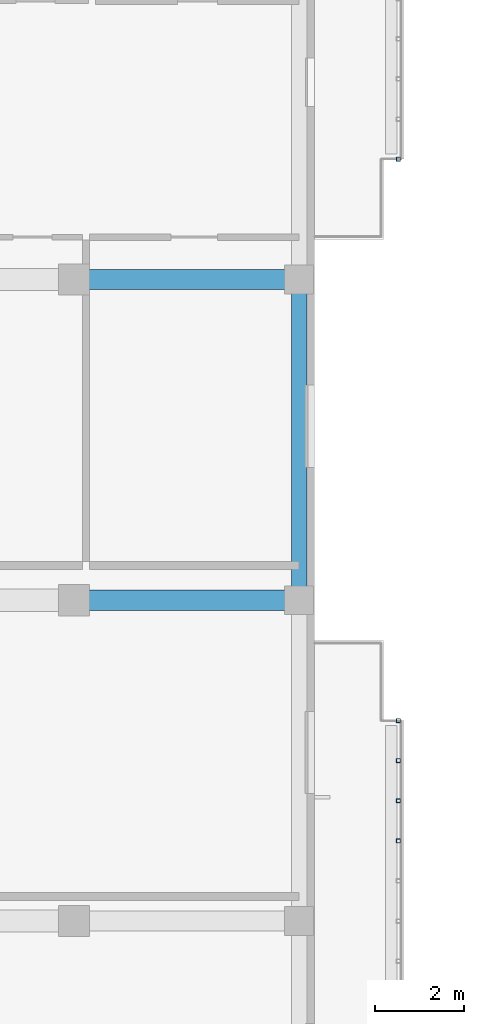
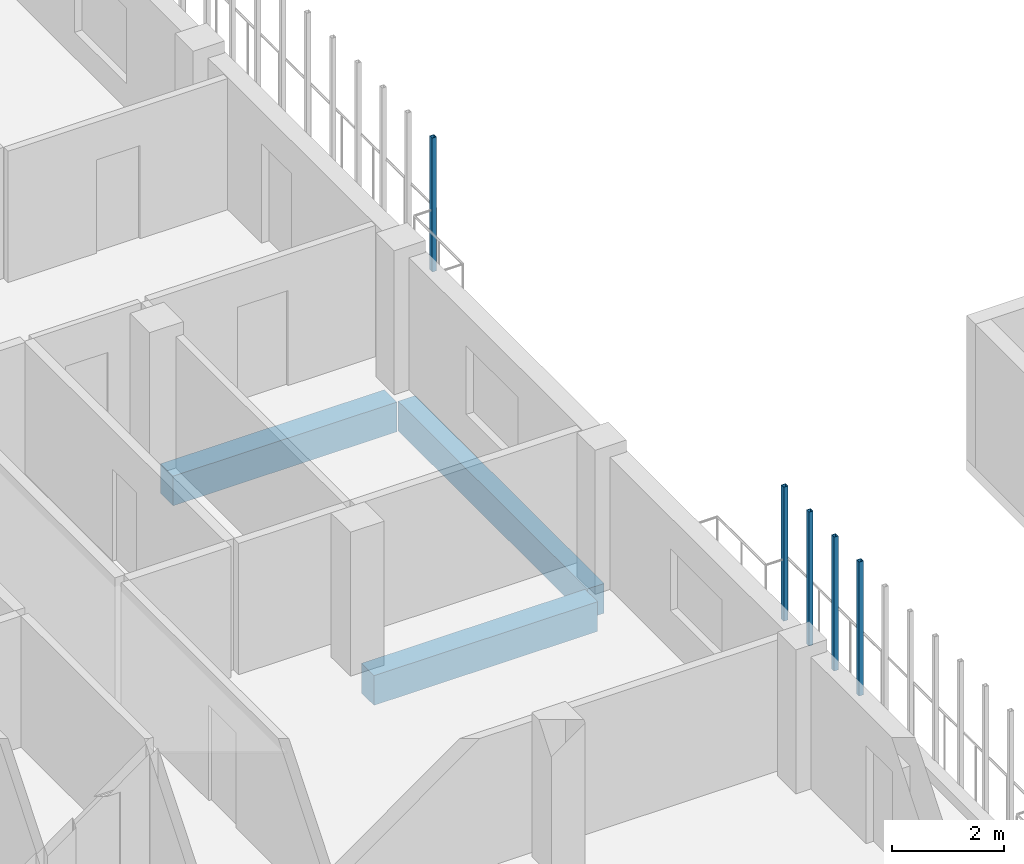
# One storey, part 4 of 56: 5 members, 3 beams.
"""IFC4 building model written with IfcOpenShell, lengths in metres."""

from ifc_helpers import new_model, si_unit, derived_unit, direction, frame, origin, origin_2d, place, context, subcontext, project, spatial, rectangle, hollow_rectangle, extrude, material, material_profile, profile_set, type_object, element, save


model = new_model("IFC4")

# Units and contexts
model_context = context("Model", 3, precision=1e-05, world=origin(), true_north=direction((0.0, 1.0)))
body_context = subcontext(model_context, "Body", "Model", "MODEL_VIEW")
ifc_project = project(units=[si_unit("LENGTHUNIT", "METRE"), si_unit("AREAUNIT", "SQUARE_METRE"), si_unit("VOLUMEUNIT", "CUBIC_METRE"), si_unit("PLANEANGLEUNIT", "RADIAN"), si_unit("MASSUNIT", "GRAM", prefix="KILO"), derived_unit("THERMALTRANSMITTANCEUNIT", [(si_unit("MASSUNIT", "GRAM", prefix="KILO"), 1), (si_unit("TIMEUNIT", "SECOND"), -3), (si_unit("THERMODYNAMICTEMPERATUREUNIT", "KELVIN"), -1)])], contexts=[model_context])

# Site, building, storey
site_placement = place(None, origin())
site = spatial("IfcSite", under=ifc_project, at=site_placement, CompositionType="ELEMENT")
building_placement = place(site_placement, origin())
building = spatial("IfcBuilding", under=site, at=building_placement, Name="Ochrekiln Boulevard Commons", CompositionType="ELEMENT")
storey_placement = place(building_placement, frame((0.0, 0.0, 12.074951171875)))
storey = spatial("IfcBuildingStorey", under=building, at=storey_placement, Name="L03", CompositionType="ELEMENT", Elevation=12.074951171875)

# Beams
ifc_material_1 = material(Name="Concrete C35/45", Category="concrete")
ifc_material_profile_1 = material_profile(ifc_material_1, rectangle(XDim=0.449951171875, YDim=0.64990234375, at=origin_2d()), Name="RC-BM-450x650")
ifc_profile_set_1 = profile_set([ifc_material_profile_1], Name="Concrete C35/45")
beam_type_1 = type_object("IfcBeamType", Name="BM-RC-450x650", PredefinedType="BEAM", material=ifc_profile_set_1)
for number, where, z_axis, x_axis, name in (
    (1, (16.409912109375, 21.60009765625, -0.5849609375), (1.0, 0.0, 0.0), (0.0, 1.0, 0.0), "Block D L03 Beam B-4565 X11"),
    (2, (16.409912109375, 28.800048828125, -0.5849609375), (1.0, 0.0, 0.0), (0.0, 1.0, 0.0), "Block D L03 Beam B-4565 X14"),
):
    element("IfcBeam", number, at=place(storey_placement, frame(where, z_axis=z_axis, x_axis=x_axis)), inside=storey, type_object=beam_type_1, Name=name, PredefinedType="BEAM", context=body_context, shape_type="SweptSolid", body=[
        extrude(rectangle(XDim=0.449951171875, YDim=0.64990234375, at=origin_2d()), origin(), (0.0, 0.0, 1.0), 4.630126953125),
    ])

# Members
ifc_material_2 = material(Name="Steel A500 Grade C", Category="steel")
ifc_material_profile_2 = material_profile(ifc_material_2, hollow_rectangle(XDim=0.090087890625, YDim=0.090087890625, WallThickness=0.00634765625, at=origin_2d()), Name="HSS90X90X6.4")
ifc_profile_set_2 = profile_set([ifc_material_profile_2], Name="Steel A500 Grade C")
member_type = type_object("IfcMemberType", Name="MEM-PST-HSS90", PredefinedType="POST", material=ifc_profile_set_2)
for number, where, z_axis, x_axis, name in (
    (3, (23.47998046875, 16.199951171875, 0.0), (0.0, 0.0, 1.0), (1.0, 0.0, 0.0), "Block D L03 Slim Vertical Balcony Post (338)"),
    (4, (23.47998046875, 17.10009765625, 0.0), (0.0, 0.0, 1.0), (1.0, 0.0, 0.0), "Block D L03 Slim Vertical Balcony Post (339)"),
    (5, (23.47998046875, 18.0, 0.0), (0.0, 0.0, 1.0), (1.0, 0.0, 0.0), "Block D L03 Slim Vertical Balcony Post (340)"),
    (6, (23.47998046875, 18.89990234375, 0.0), (0.0, 0.0, 1.0), (1.0, 0.0, 0.0), "Block D L03 Slim Vertical Balcony Post (341)"),
    (7, (23.47998046875, 31.5, 0.0), (0.0, 0.0, 1.0), (1.0, 0.0, 0.0), "Block D L03 Slim Vertical Balcony Post (342)"),
):
    element("IfcMember", number, at=place(storey_placement, frame(where, z_axis=z_axis, x_axis=x_axis)), inside=storey, type_object=member_type, Name=name, PredefinedType="POST", context=body_context, shape_type="SweptSolid", body=[
        extrude(hollow_rectangle(XDim=0.090087890625, YDim=0.090087890625, WallThickness=0.00634765625, at=origin_2d()), origin(), (0.0, 0.0, 1.0), 2.929931640625),
    ])

# Beam
ifc_material_3 = material(Name="Concrete C40/50", Category="concrete")
ifc_material_profile_3 = material_profile(ifc_material_3, rectangle(XDim=0.35009765625, YDim=0.64990234375, at=origin_2d()), Name="RC-SPN-350x650")
ifc_profile_set_3 = profile_set([ifc_material_profile_3], Name="Concrete C40/50")
beam_type_2 = type_object("IfcBeamType", Name="SPN-RC-350x650", PredefinedType="SPANDREL", material=ifc_profile_set_3)
beam_placement = place(storey_placement, frame((21.25, 21.81005859375, -0.5849609375), z_axis=(0.0, 1.0, 0.0), x_axis=(-1.0, 0.0, 0.0)))
element("IfcBeam", 8, at=beam_placement, inside=storey, type_object=beam_type_2, Name="Block D L03 Beam SP-3565 Y33", PredefinedType="SPANDREL", context=body_context, shape_type="SweptSolid", body=[
    extrude(rectangle(XDim=0.35009765625, YDim=0.64990234375, at=origin_2d()), origin(), (0.0, 0.0, 1.0), 6.780029296875),
])

save(model, "model.ifc")
